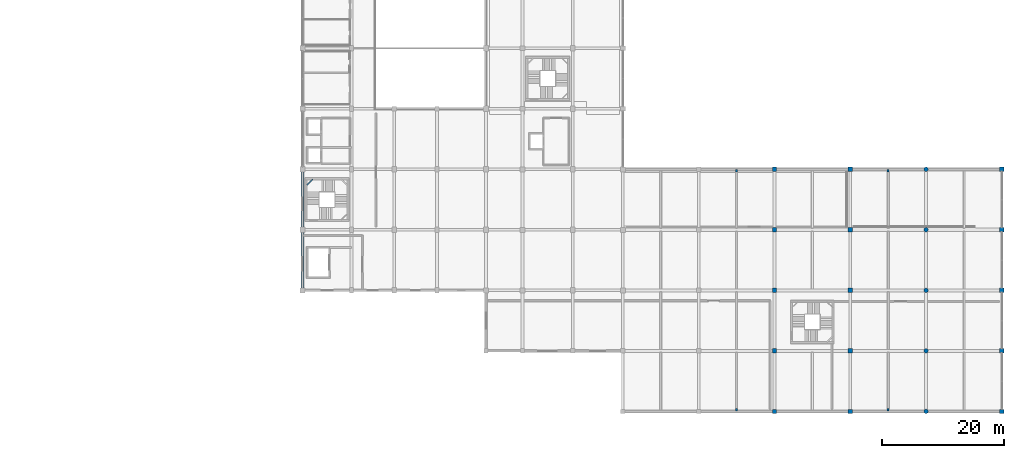
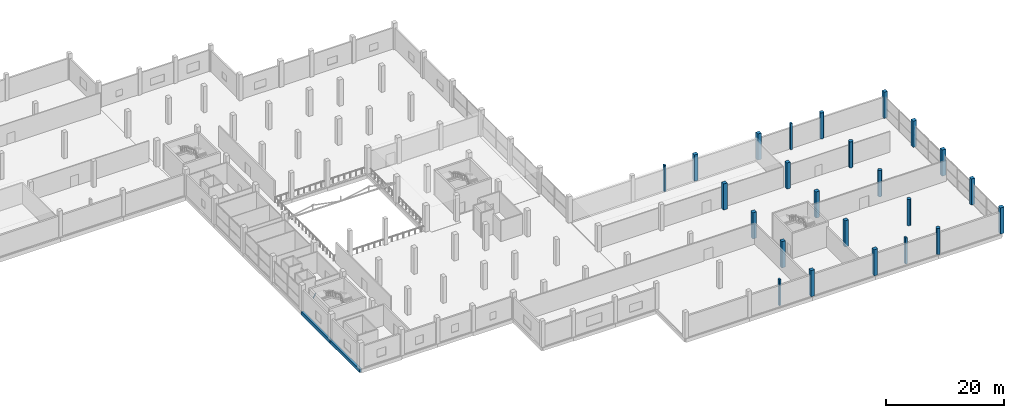
# One storey, part 3 of 74: 24 columns, 3 beams.
"""IFC4 building model written with IfcOpenShell, lengths in metres."""

from ifc_helpers import new_model, si_unit, direction, frame, origin, origin_2d, place, context, subcontext, project, spatial, rectangle, hollow_rectangle, circle, extrude, material, material_profile, profile_set, type_object, element, save


model = new_model("IFC4")

# Units and contexts
model_context = context("Model", 3, precision=1e-05, world=origin(), true_north=direction((0.0, 1.0)))
body_context = subcontext(model_context, "Body", "Model", "MODEL_VIEW")
ifc_project = project(units=[si_unit("LENGTHUNIT", "METRE"), si_unit("AREAUNIT", "SQUARE_METRE"), si_unit("VOLUMEUNIT", "CUBIC_METRE"), si_unit("PLANEANGLEUNIT", "RADIAN"), si_unit("MASSUNIT", "GRAM", prefix="KILO")], contexts=[model_context])

# Site, building, storey
site_placement = place(None, origin())
site = spatial("IfcSite", under=ifc_project, at=site_placement, CompositionType="ELEMENT")
building_placement = place(site_placement, origin())
building = spatial("IfcBuilding", under=site, at=building_placement, Name="Sillaruma Civic Art Gallery", CompositionType="ELEMENT")
storey_placement = place(building_placement, frame((0.0, 0.0, 5.43994140625)))
storey = spatial("IfcBuildingStorey", under=building, at=storey_placement, Name="L01", CompositionType="ELEMENT", Elevation=5.43994140625)

# Columns
ifc_material_1 = material(Name="Concrete H40 (40 MPa)", Category="concrete")
ifc_material_profile_1 = material_profile(ifc_material_1, rectangle(XDim=0.699951171875, YDim=0.699951171875, at=origin_2d()), Name="RC700x700")
ifc_profile_set_1 = profile_set([ifc_material_profile_1], Name="Concrete H40 (40 MPa)")
column_type_1 = type_object("IfcColumnType", Name="COL-COLUMN-RC700x700", PredefinedType="COLUMN", material=ifc_profile_set_1)
for number, where, z_axis, x_axis, name in (
    (1, (139.199951171875, 0.0, 0.0), (0.0, 0.0, 1.0), (1.0, 0.0, 0.0), "Column C-06 (L01:Q1)"),
    (2, (139.199951171875, 9.89990234375, 0.0), (0.0, 0.0, 1.0), (1.0, 0.0, 0.0), "Column C-06 (L01:Q2)"),
    (3, (139.199951171875, 19.800048828125, 0.0), (0.0, 0.0, 1.0), (1.0, 0.0, 0.0), "Column C-06 (L01:Q3)"),
    (4, (139.199951171875, 29.699951171875, 0.0), (0.0, 0.0, 1.0), (1.0, 0.0, 0.0), "Column C-06 (L01:Q4)"),
    (5, (139.199951171875, 39.60009765625, 0.0), (0.0, 0.0, 1.0), (1.0, 0.0, 0.0), "Column C-06 (L01:Q5)"),
    (6, (151.60009765625, 0.0, 0.0), (0.0, 0.0, 1.0), (1.0, 0.0, 0.0), "Column C-06 (L01:R1)"),
    (7, (151.60009765625, 9.89990234375, 0.0), (0.0, 0.0, 1.0), (1.0, 0.0, 0.0), "Column C-06 (L01:R2)"),
    (8, (151.60009765625, 19.800048828125, 0.0), (0.0, 0.0, 1.0), (1.0, 0.0, 0.0), "Column C-06 (L01:R3)"),
    (9, (151.60009765625, 29.699951171875, 0.0), (0.0, 0.0, 1.0), (1.0, 0.0, 0.0), "Column C-06 (L01:R4)"),
    (10, (151.60009765625, 39.60009765625, 0.0), (0.0, 0.0, 1.0), (1.0, 0.0, 0.0), "Column C-06 (L01:R5)"),
    (11, (176.39990234375, 0.0, 0.0), (0.0, 0.0, 1.0), (1.0, 0.0, 0.0), "Column C-06 (L01:T1)"),
    (12, (176.39990234375, 9.89990234375, 0.0), (0.0, 0.0, 1.0), (1.0, 0.0, 0.0), "Column C-06 (L01:T2)"),
    (13, (176.39990234375, 19.800048828125, 0.0), (0.0, 0.0, 1.0), (1.0, 0.0, 0.0), "Column C-06 (L01:T3)"),
    (14, (176.39990234375, 29.699951171875, 0.0), (0.0, 0.0, 1.0), (1.0, 0.0, 0.0), "Column C-06 (L01:T4)"),
    (15, (176.39990234375, 39.60009765625, 0.0), (0.0, 0.0, 1.0), (1.0, 0.0, 0.0), "Column C-06 (L01:T5)"),
):
    element("IfcColumn", number, at=place(storey_placement, frame(where, z_axis=z_axis, x_axis=x_axis)), inside=storey, type_object=column_type_1, Name=name, PredefinedType="COLUMN", context=body_context, shape_type="SweptSolid", body=[
        extrude(rectangle(XDim=0.699951171875, YDim=0.699951171875, at=origin_2d()), origin(), (0.0, 0.0, 1.0), 5.43994140625),
    ])
ifc_material_profile_2 = material_profile(ifc_material_1, circle(Radius=0.360107421875, at=origin_2d()), Name="RCC720")
ifc_profile_set_2 = profile_set([ifc_material_profile_2], Name="Concrete H40 (40 MPa)")
column_type_2 = type_object("IfcColumnType", Name="COL-COLUMN-RCC720", PredefinedType="COLUMN", material=ifc_profile_set_2)
for number, where, z_axis, x_axis, name in (
    (16, (164.0, 0.0, 0.0), (0.0, 0.0, 1.0), (1.0, 0.0, 0.0), "Column CC-02 (L01:S1)"),
    (17, (164.0, 9.89990234375, 0.0), (0.0, 0.0, 1.0), (1.0, 0.0, 0.0), "Column CC-02 (L01:S2)"),
    (18, (164.0, 19.800048828125, 0.0), (0.0, 0.0, 1.0), (1.0, 0.0, 0.0), "Column CC-02 (L01:S3)"),
    (19, (164.0, 29.699951171875, 0.0), (0.0, 0.0, 1.0), (1.0, 0.0, 0.0), "Column CC-02 (L01:S4)"),
    (20, (164.0, 39.60009765625, 0.0), (0.0, 0.0, 1.0), (1.0, 0.0, 0.0), "Column CC-02 (L01:S5)"),
):
    element("IfcColumn", number, at=place(storey_placement, frame(where, z_axis=z_axis, x_axis=x_axis)), inside=storey, type_object=column_type_2, Name=name, PredefinedType="COLUMN", context=body_context, shape_type="SweptSolid", body=[
        extrude(circle(Radius=0.360107421875, at=origin_2d()), origin(), (0.0, 0.0, 1.0), 5.43994140625),
    ])
ifc_material_profile_3 = material_profile(ifc_material_1, rectangle(XDim=0.340087890625, YDim=0.449951171875, at=origin_2d()), Name="RC450x340")
ifc_profile_set_3 = profile_set([ifc_material_profile_3], Name="Concrete H40 (40 MPa)")
column_type_3 = type_object("IfcColumnType", Name="COL-PILASTER-RC450x340", PredefinedType="PILASTER", material=ifc_profile_set_3)
for number, where, z_axis, x_axis, name in (
    (21, (133.0, 0.25, 0.0), (0.0, 0.0, 1.0), (1.0, 0.0, 0.0), "Pilaster CP-02 (L01:PIL-E1)"),
    (22, (157.800048828125, 0.25, 0.0), (0.0, 0.0, 1.0), (1.0, 0.0, 0.0), "Pilaster CP-02 (L01:PIL-E2)"),
    (23, (133.0, 39.35009765625, 0.0), (0.0, 0.0, 1.0), (1.0, 0.0, 0.0), "Pilaster CP-02 (L01:PIL-E3)"),
    (24, (157.800048828125, 39.35009765625, 0.0), (0.0, 0.0, 1.0), (1.0, 0.0, 0.0), "Pilaster CP-02 (L01:PIL-E4)"),
):
    element("IfcColumn", number, at=place(storey_placement, frame(where, z_axis=z_axis, x_axis=x_axis)), inside=storey, type_object=column_type_3, Name=name, PredefinedType="PILASTER", context=body_context, shape_type="SweptSolid", body=[
        extrude(rectangle(XDim=0.340087890625, YDim=0.449951171875, at=origin_2d()), origin(), (0.0, 0.0, 1.0), 5.43994140625),
    ])

# Beams
ifc_material_2 = material(Name="Structural Steel ASTM A500 Gr.C", Category="steel")
ifc_material_profile_4 = material_profile(ifc_material_2, hollow_rectangle(XDim=0.080078125, YDim=0.159912109375, WallThickness=0.008056640625, InnerFilletRadius=0.008056640625, OuterFilletRadius=0.01611328125, at=origin_2d()), Name="HSS160x80x8")
ifc_profile_set_4 = profile_set([ifc_material_profile_4], Name="Structural Steel ASTM A500 Gr.C")
beam_type_1 = type_object("IfcBeamType", Name="BM-LND-HSS160", PredefinedType="BEAM", material=ifc_profile_set_4)
beam_1_placement = place(storey_placement, frame((62.719970703125, 37.0400390625, 3.800048828125), z_axis=(0.707203758046, 0.707009791025, 0.0), x_axis=(-0.707009791025, 0.707203758046, 0.0)))
element("IfcBeam", 25, at=beam_1_placement, inside=storey, type_object=beam_type_1, Name="Stair Corner Landing Trimmer Beam (ST-03-L01-3)", PredefinedType="BEAM", context=body_context, shape_type="SweptSolid", body=[
    extrude(hollow_rectangle(XDim=0.080078125, YDim=0.159912109375, WallThickness=0.008056640625, InnerFilletRadius=0.008056640625, OuterFilletRadius=0.01611328125, at=origin_2d()), origin(), (0.0, 0.0, 1.0), 1.2587890625),
])
ifc_material_3 = material(Name="Concrete H35 (35 MPa)", Category="concrete")
ifc_material_profile_5 = material_profile(ifc_material_3, rectangle(XDim=0.449951171875, YDim=0.699951171875, at=origin_2d()), Name="RCB450x700")
ifc_profile_set_5 = profile_set([ifc_material_profile_5], Name="Concrete H35 (35 MPa)")
beam_type_2 = type_object("IfcBeamType", Name="BM-SPANDREL-RCB450x700", PredefinedType="SPANDREL", material=ifc_profile_set_5)
beam_2_placement = place(storey_placement, frame((62.0, 19.800048828125, -0.60986328125), z_axis=(0.0, 1.0, 0.0), x_axis=(-1.0, 0.0, 0.0)))
element("IfcBeam", 26, at=beam_2_placement, inside=storey, type_object=beam_type_2, Name="Beam BS-03 (L00:F:3-4)", PredefinedType="SPANDREL", context=body_context, shape_type="SweptSolid", body=[
    extrude(rectangle(XDim=0.449951171875, YDim=0.699951171875, at=origin_2d()), origin(), (0.0, 0.0, 1.0), 9.89990234375),
])
beam_3_placement = place(storey_placement, frame((62.0, 29.699951171875, -0.60986328125), z_axis=(0.0, 1.0, 0.0), x_axis=(-1.0, 0.0, 0.0)))
element("IfcBeam", 27, at=beam_3_placement, inside=storey, type_object=beam_type_2, Name="Beam BS-03 (L00:F:4-5)", PredefinedType="SPANDREL", context=body_context, shape_type="SweptSolid", body=[
    extrude(rectangle(XDim=0.449951171875, YDim=0.699951171875, at=origin_2d()), origin(), (0.0, 0.0, 1.0), 9.900146484375),
])

save(model, "model.ifc")
